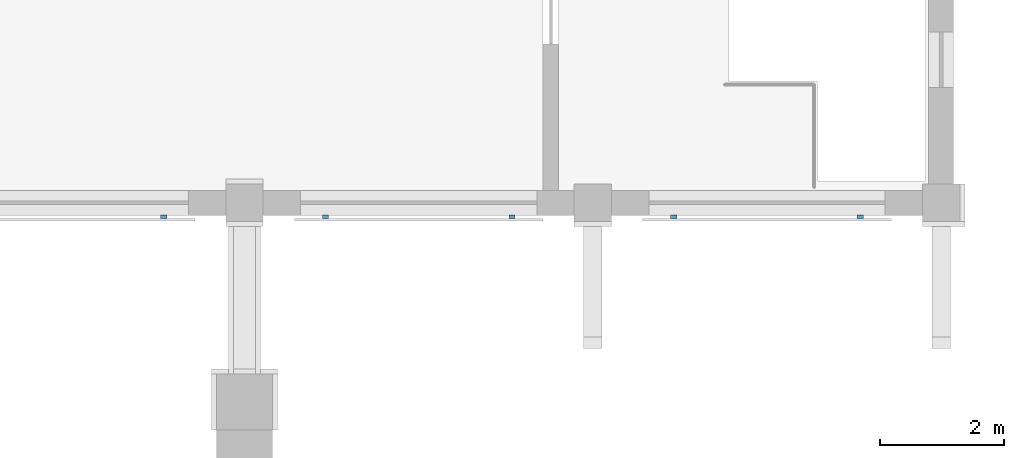
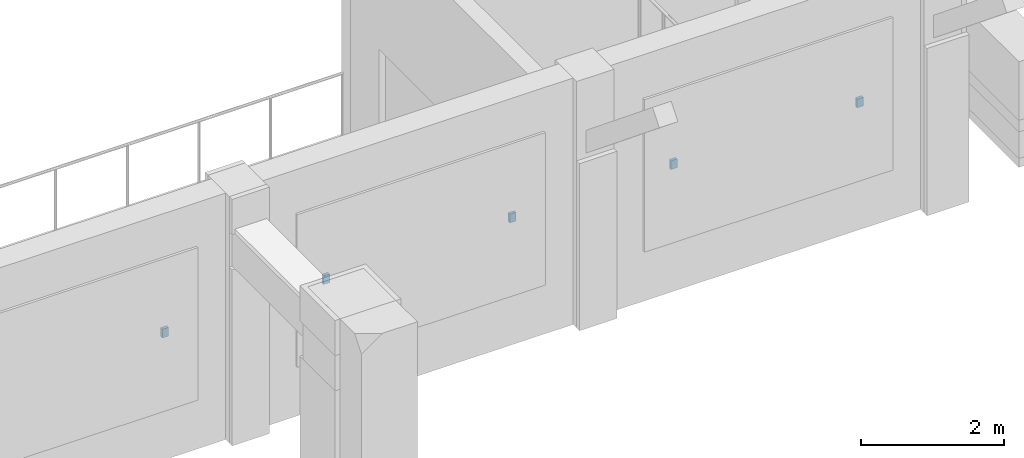
# One storey, part 49 of 68: 5 discrete accessories.
"""IFC4 building model written with IfcOpenShell, lengths in metres."""

from ifc_helpers import new_model, si_unit, direction, frame, origin, origin_2d, place, context, subcontext, project, spatial, rectangle, extrude, element, save


model = new_model("IFC4")

# Units and contexts
model_context = context("Model", 3, precision=1e-05, world=origin(), true_north=direction((0.0, 1.0)))
body_context = subcontext(model_context, "Body", "Model", "MODEL_VIEW")
ifc_project = project(units=[si_unit("LENGTHUNIT", "METRE"), si_unit("AREAUNIT", "SQUARE_METRE"), si_unit("VOLUMEUNIT", "CUBIC_METRE"), si_unit("PLANEANGLEUNIT", "RADIAN"), si_unit("MASSUNIT", "GRAM", prefix="KILO")], contexts=[model_context])

# Site, building, storey
site_placement = place(None, origin())
site = spatial("IfcSite", under=ifc_project, at=site_placement, CompositionType="ELEMENT")
building_placement = place(site_placement, origin())
building = spatial("IfcBuilding", under=site, at=building_placement, Name="Wasatch Bagh Community Centre", CompositionType="ELEMENT")
storey_placement = place(building_placement, frame((0.0, 0.0, 8.39990234375)))
storey = spatial("IfcBuildingStorey", under=building, at=storey_placement, Name="L02", CompositionType="ELEMENT", Elevation=8.39990234375)

# Discrete accessories
for number, where, z_axis, x_axis, name in (
    (1, (133.300048828125, 37.97509765625, 2.125244140625), (0.0, 0.0, 1.0), (1.0, 0.0, 0.0), "Fixing bracket"),
    (2, (135.89990234375, 37.97509765625, 2.125244140625), (0.0, 0.0, 1.0), (1.0, 0.0, 0.0), "Fixing bracket"),
    (3, (138.89990234375, 37.97509765625, 2.125244140625), (0.0, 0.0, 1.0), (1.0, 0.0, 0.0), "Fixing bracket"),
    (4, (141.5, 37.97509765625, 2.125244140625), (0.0, 0.0, 1.0), (1.0, 0.0, 0.0), "Fixing bracket"),
    (5, (144.5, 37.97509765625, 2.125244140625), (0.0, 0.0, 1.0), (1.0, 0.0, 0.0), "Fixing bracket"),
):
    element("IfcDiscreteAccessory", number, at=place(storey_placement, frame(where, z_axis=z_axis, x_axis=x_axis)), inside=storey, Name=name, PredefinedType="BRACKET", context=body_context, shape_type="SweptSolid", body=[
        extrude(rectangle(XDim=0.10009765625, YDim=0.050048828125, at=origin_2d()), origin(), (0.0, 0.0, 1.0), 0.14990234375),
    ])

save(model, "model.ifc")
